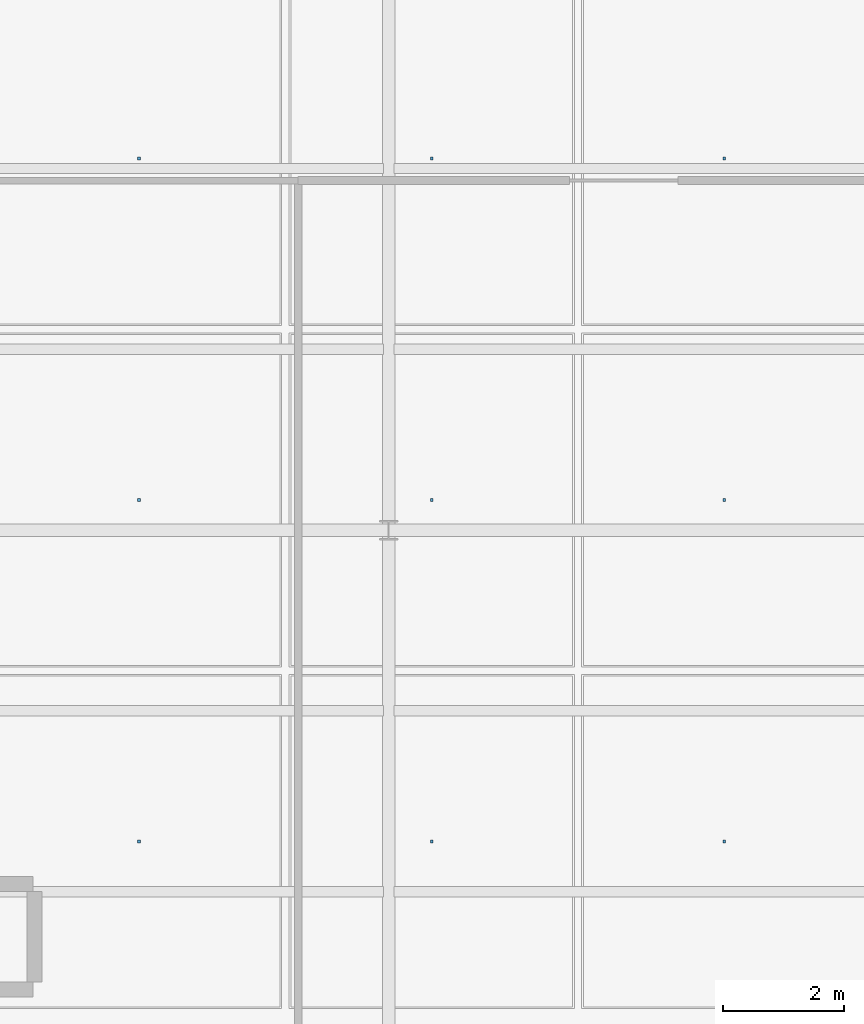
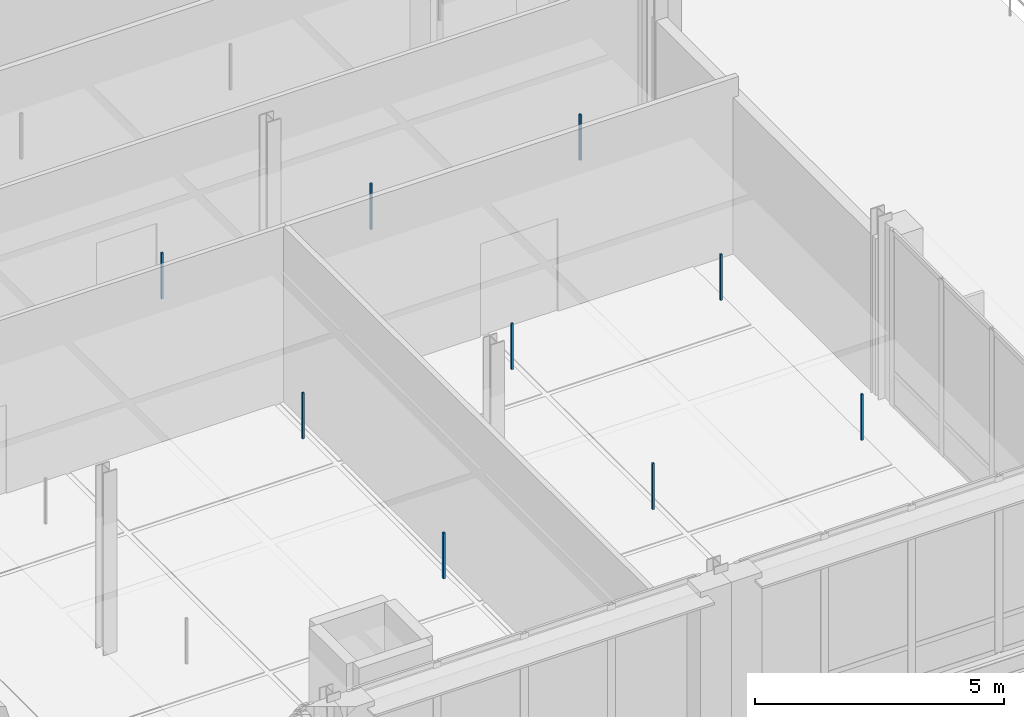
# One storey, part 60 of 66: 9 discrete accessories.
"""IFC4 building model written with IfcOpenShell, lengths in metres."""

from ifc_helpers import new_model, si_unit, direction, frame, origin, origin_2d, place, context, subcontext, project, spatial, rectangle, extrude, material, type_object, element, save


model = new_model("IFC4")

# Units and contexts
model_context = context("Model", 3, precision=1e-05, world=origin(), true_north=direction((0.0, 1.0)))
body_context = subcontext(model_context, "Body", "Model", "MODEL_VIEW")
ifc_project = project(units=[si_unit("LENGTHUNIT", "METRE"), si_unit("AREAUNIT", "SQUARE_METRE"), si_unit("VOLUMEUNIT", "CUBIC_METRE"), si_unit("PLANEANGLEUNIT", "RADIAN"), si_unit("MASSUNIT", "GRAM", prefix="KILO"), si_unit("THERMODYNAMICTEMPERATUREUNIT", "KELVIN"), si_unit("POWERUNIT", "WATT")], contexts=[model_context])

# Site, building, storey
site_placement = place(None, origin())
site = spatial("IfcSite", under=ifc_project, at=site_placement, CompositionType="ELEMENT")
building_placement = place(site_placement, origin())
building = spatial("IfcBuilding", under=site, at=building_placement, Name="Tallowbark Science Centre", CompositionType="ELEMENT")
storey_placement = place(building_placement, frame((0.0, 0.0, 18.89990234375)))
storey = spatial("IfcBuildingStorey", under=building, at=storey_placement, Name="L04", CompositionType="ELEMENT", Elevation=18.89990234375)

# Discrete accessories
ifc_material = material(Name="Galvanised Steel Grade C350L0 (350 MPa)", Category="steel")
discrete_accessory_type = type_object("IfcDiscreteAccessoryType", Name="ACC-CLG-HNG", PredefinedType="BRACKET", material=ifc_material)
for number, where, z_axis, x_axis, name in (
    (1, (135.357177734375, 75.833251953125, 3.2060546875), (0.0, 0.0, 1.0), (1.0, 0.0, 0.0), "Ceiling Hanger Bracket L04-1128"),
    (2, (135.357177734375, 81.5, 3.2060546875), (0.0, 0.0, 1.0), (1.0, 0.0, 0.0), "Ceiling Hanger Bracket L04-1129"),
    (3, (135.357177734375, 87.166748046875, 3.2060546875), (0.0, 0.0, 1.0), (1.0, 0.0, 0.0), "Ceiling Hanger Bracket L04-1130"),
    (4, (140.21435546875, 75.833251953125, 3.2060546875), (0.0, 0.0, 1.0), (1.0, 0.0, 0.0), "Ceiling Hanger Bracket L04-1132"),
    (5, (140.21435546875, 81.5, 3.2060546875), (0.0, 0.0, 1.0), (1.0, 0.0, 0.0), "Ceiling Hanger Bracket L04-1133"),
    (6, (140.21435546875, 87.166748046875, 3.2060546875), (0.0, 0.0, 1.0), (1.0, 0.0, 0.0), "Ceiling Hanger Bracket L04-1134"),
    (7, (145.0712890625, 75.833251953125, 3.2060546875), (0.0, 0.0, 1.0), (1.0, 0.0, 0.0), "Ceiling Hanger Bracket L04-1136"),
    (8, (145.0712890625, 81.5, 3.2060546875), (0.0, 0.0, 1.0), (1.0, 0.0, 0.0), "Ceiling Hanger Bracket L04-1137"),
    (9, (145.0712890625, 87.166748046875, 3.2060546875), (0.0, 0.0, 1.0), (1.0, 0.0, 0.0), "Ceiling Hanger Bracket L04-1138"),
):
    element("IfcDiscreteAccessory", number, at=place(storey_placement, frame(where, z_axis=z_axis, x_axis=x_axis)), inside=storey, type_object=discrete_accessory_type, Name=name, PredefinedType="BRACKET", context=body_context, shape_type="SweptSolid", body=[
        extrude(rectangle(XDim=0.044921875, YDim=0.044921875, at=origin_2d()), origin(), (0.0, 0.0, 1.0), 1.126953125),
    ])

save(model, "model.ifc")
